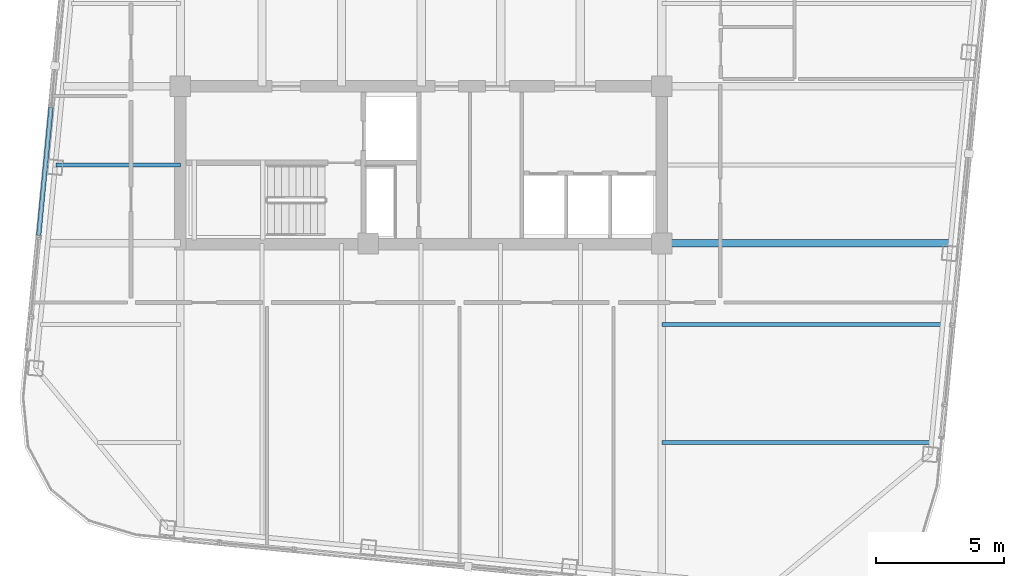
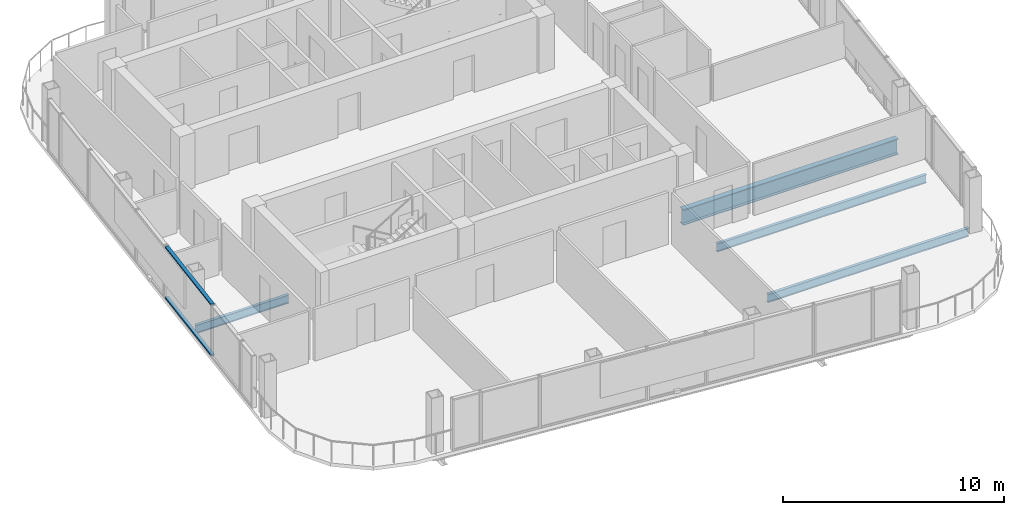
# One storey, part 6 of 23: 4 beams, 2 members, 1 element without a shape of its own.
"""IFC4 building model written with IfcOpenShell, lengths in metres."""

from ifc_helpers import new_model, si_unit, direction, frame, origin, origin_2d, place, context, subcontext, project, spatial, hollow_rectangle, i_section, extrude, material, layer, layer_set, material_profile, profile_set, type_object, element, aggregate, save


model = new_model("IFC4")

# Units and contexts
model_context = context("Model", 3, precision=1e-05, world=origin(), true_north=direction((0.0, 1.0)))
body_context = subcontext(model_context, "Body", "Model", "MODEL_VIEW")
ifc_project = project(units=[si_unit("LENGTHUNIT", "METRE"), si_unit("AREAUNIT", "SQUARE_METRE"), si_unit("VOLUMEUNIT", "CUBIC_METRE"), si_unit("PLANEANGLEUNIT", "RADIAN"), si_unit("MASSUNIT", "GRAM", prefix="KILO")], contexts=[model_context])

# Site, building, storey
site_placement = place(None, origin())
site = spatial("IfcSite", under=ifc_project, at=site_placement, CompositionType="ELEMENT")
building_placement = place(site_placement, origin())
building = spatial("IfcBuilding", under=site, at=building_placement, Name="Qhalaya Broadcast Tower", CompositionType="ELEMENT")
storey_placement = place(building_placement, frame((0.0, 0.0, 261.14990234375)))
storey = spatial("IfcBuildingStorey", under=building, at=storey_placement, Name="L77", CompositionType="ELEMENT", Elevation=261.14990234375)

# Beams
ifc_material_1 = material(Name="Structural Steel ASTM A992 Grade 50", Category="steel")
ifc_material_profile_1 = material_profile(ifc_material_1, i_section(OverallWidth=0.154052734375, OverallDepth=0.458984375, WebThickness=0.009033203125, FlangeThickness=0.015380859375, at=origin_2d()), Name="W18X46")
ifc_profile_set_1 = profile_set([ifc_material_profile_1], Name="Structural Steel ASTM A992 Grade 50")
beam_type_1 = type_object("IfcBeamType", Name="Composite Floor Joist J04", PredefinedType="JOIST", material=ifc_profile_set_1)
beam_1_placement = place(storey_placement, frame((9.375, -16.5, -0.41943359375), z_axis=(1.0, 0.0, 0.0), x_axis=(0.0, 1.0, 0.0)))
element("IfcBeam", 1, at=beam_1_placement, inside=storey, type_object=beam_type_1, Name="L77 J04 L77-JWE1E-1", PredefinedType="JOIST", context=body_context, shape_type="SweptSolid", body=[
    extrude(i_section(OverallWidth=0.154052734375, OverallDepth=0.458984375, WebThickness=0.009033203125, FlangeThickness=0.015380859375, at=origin_2d()), origin(), (0.0, 0.0, 1.0), 10.47802734375),
])
beam_2_placement = place(storey_placement, frame((9.375, -11.89990234375, -0.41943359375), z_axis=(1.0, 0.0, 0.0), x_axis=(0.0, 1.0, 0.0)))
element("IfcBeam", 2, at=beam_2_placement, inside=storey, type_object=beam_type_1, Name="L77 J04 L77-JWE2E-1", PredefinedType="JOIST", context=body_context, shape_type="SweptSolid", body=[
    extrude(i_section(OverallWidth=0.154052734375, OverallDepth=0.458984375, WebThickness=0.009033203125, FlangeThickness=0.015380859375, at=origin_2d()), origin(), (0.0, 0.0, 1.0), 10.9208984375),
])
beam_3_placement = place(storey_placement, frame((-14.228759765625, -5.699951171875, -0.41943359375), z_axis=(1.0, 0.0, 0.0), x_axis=(0.0, 1.0, 0.0)))
element("IfcBeam", 3, at=beam_3_placement, inside=storey, type_object=beam_type_1, Name="L77 J04 L77-JWE3W-1", PredefinedType="JOIST", context=body_context, shape_type="SweptSolid", body=[
    extrude(i_section(OverallWidth=0.154052734375, OverallDepth=0.458984375, WebThickness=0.009033203125, FlangeThickness=0.015380859375, at=origin_2d()), origin(), (0.0, 0.0, 1.0), 4.853759765625),
])

# Curtain wall, members
ifc_material_2 = material(Name="Fired Architectural Terracotta", Category="masonry")
ifc_layer = layer(ifc_material_2, 0.219970703125, Name="Fired Architectural Terracotta")
ifc_layer_set = layer_set([ifc_layer], Name="Fired Architectural Terracotta")
curtain_wall_type = type_object("IfcCurtainWallType", Name="Block-Cap Unitised Terracotta Spandrel Wall CW-07", PredefinedType="NOTDEFINED", material=ifc_layer_set)
curtain_wall_placement = place(storey_placement, origin())
curtain_wall = element("IfcCurtainWall", 4, at=curtain_wall_placement, inside=storey, type_object=curtain_wall_type, Name="L77 Unitised Curtain Wall L77-CW-W5", PredefinedType="NOTDEFINED")
ifc_material_3 = material(Name="Anodised Aluminium 6063-T6", Category="aluminium")
ifc_material_profile_2 = material_profile(ifc_material_3, hollow_rectangle(XDim=0.074951171875, YDim=0.179931640625, WallThickness=0.00390625, at=origin_2d()), Name="ALU-TRN 75x180x4")
ifc_profile_set_2 = profile_set([ifc_material_profile_2], Name="Anodised Aluminium 6063-T6")
member_type = type_object("IfcMemberType", Name="Unitised Curtain-Wall Transom T01", PredefinedType="USERDEFINED", material=ifc_profile_set_2)
member_1_placement = place(storey_placement, frame((-14.413818359375, -3.44873046875, 0.03759765625), z_axis=(-0.095858268746, -0.995394993112, 0.0), x_axis=(0.0, 0.0, 1.0)))
member_1 = element("IfcMember", 5, at=member_1_placement, type_object=member_type, Name="CW-07 transom 1.1", ObjectType="TRANSOM", PredefinedType="USERDEFINED", context=body_context, shape_type="SweptSolid", body=[
    extrude(hollow_rectangle(XDim=0.074951171875, YDim=0.179931640625, WallThickness=0.00390625, at=origin_2d()), origin(), (0.0, 0.0, 1.0), 5.007080078125),
])
member_2_placement = place(storey_placement, frame((-14.413818359375, -3.44873046875, 2.822509765625), z_axis=(-0.095858268746, -0.995394993112, 0.0), x_axis=(0.0, 0.0, 1.0)))
member_2 = element("IfcMember", 6, at=member_2_placement, type_object=member_type, Name="CW-07 transom 1.2", ObjectType="TRANSOM", PredefinedType="USERDEFINED", context=body_context, shape_type="SweptSolid", body=[
    extrude(hollow_rectangle(XDim=0.074951171875, YDim=0.179931640625, WallThickness=0.00390625, at=origin_2d()), origin(), (0.0, 0.0, 1.0), 5.007080078125),
])
aggregate(curtain_wall, [member_1, member_2])

# Beam
ifc_material_profile_3 = material_profile(ifc_material_1, i_section(OverallWidth=0.2919921875, OverallDepth=0.85888671875, WebThickness=0.01708984375, FlangeThickness=0.031005859375, at=origin_2d()), Name="W33X169")
ifc_profile_set_3 = profile_set([ifc_material_profile_3], Name="Structural Steel ASTM A992 Grade 50")
beam_type_2 = type_object("IfcBeamType", Name="Upper Block Primary Girder PG4", PredefinedType="USERDEFINED", material=ifc_profile_set_3)
beam_4_placement = place(storey_placement, frame((9.375, -8.75, -0.619384765625), z_axis=(1.0, 0.0, 0.0), x_axis=(0.0, 1.0, 0.0)))
element("IfcBeam", 7, at=beam_4_placement, inside=storey, type_object=beam_type_2, Name="L77 PG4 L77-PGYE1-1", ObjectType="GIRDER", PredefinedType="USERDEFINED", context=body_context, shape_type="SweptSolid", body=[
    extrude(i_section(OverallWidth=0.2919921875, OverallDepth=0.85888671875, WebThickness=0.01708984375, FlangeThickness=0.031005859375, at=origin_2d()), origin(), (0.0, 0.0, 1.0), 11.22412109375),
])

save(model, "model.ifc")
